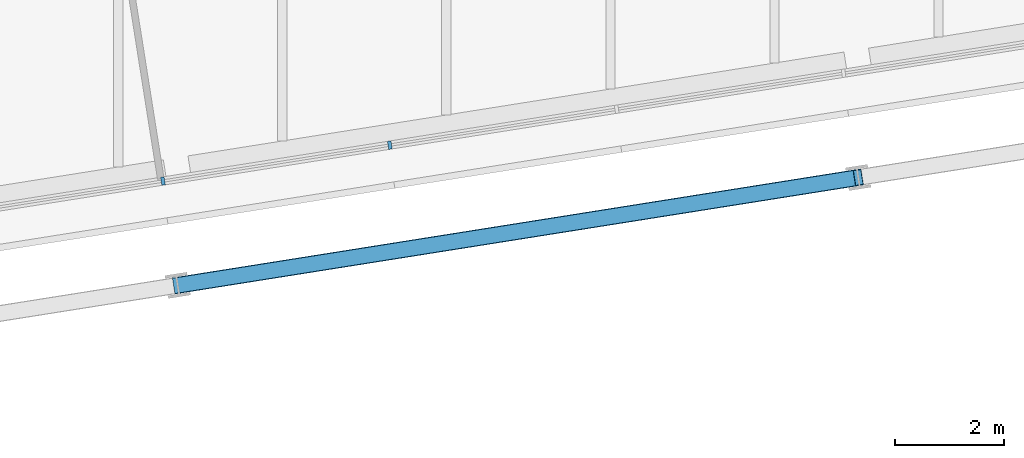
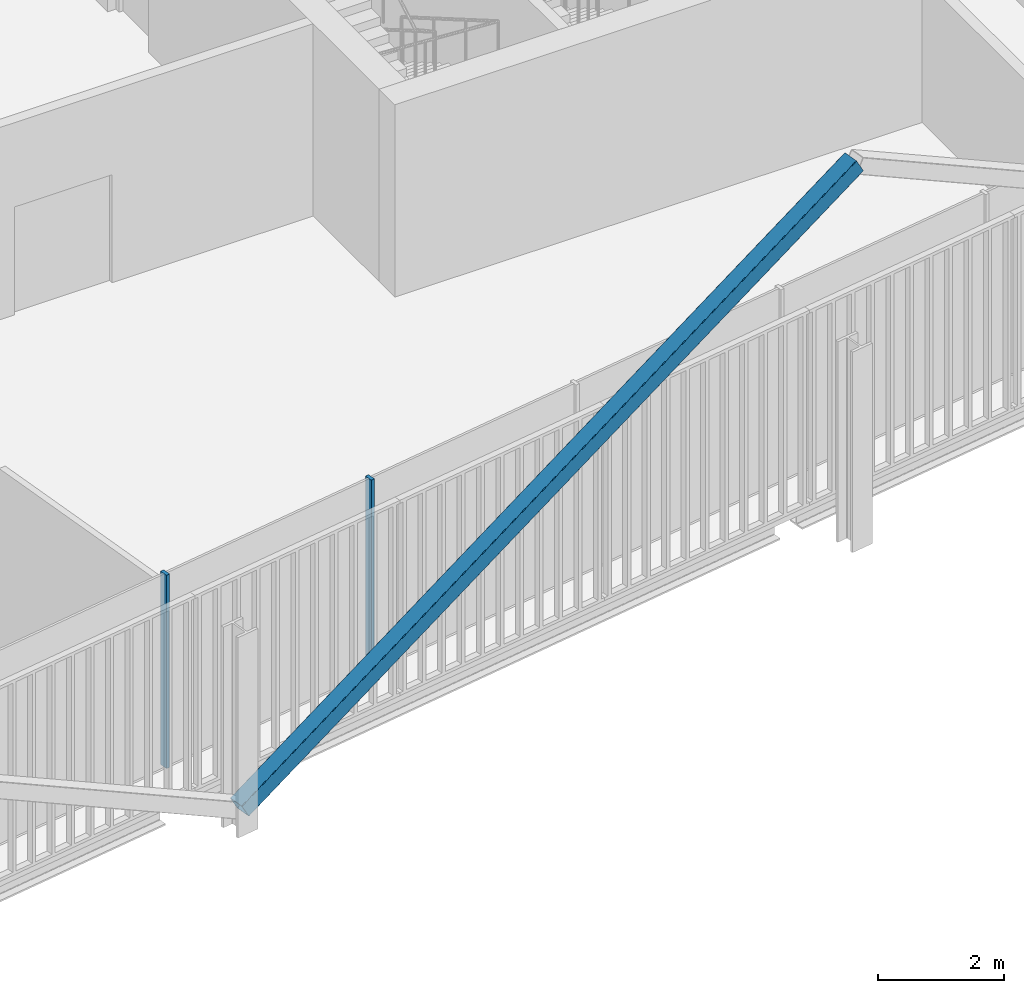
# One storey, part 3 of 20: 3 members, 1 element without a shape of its own.
"""IFC4 building model written with IfcOpenShell, lengths in metres."""

from ifc_helpers import new_model, si_unit, direction, frame, origin, origin_2d, place, context, subcontext, project, spatial, rectangle, hollow_rectangle, extrude, material, layer, layer_set, material_profile, profile_set, type_object, element, aggregate, save


model = new_model("IFC4")

# Units and contexts
model_context = context("Model", 3, precision=1e-05, world=origin(), true_north=direction((0.0, 1.0)))
body_context = subcontext(model_context, "Body", "Model", "MODEL_VIEW")
ifc_project = project(units=[si_unit("LENGTHUNIT", "METRE"), si_unit("AREAUNIT", "SQUARE_METRE"), si_unit("VOLUMEUNIT", "CUBIC_METRE"), si_unit("PLANEANGLEUNIT", "RADIAN"), si_unit("MASSUNIT", "GRAM", prefix="KILO")], contexts=[model_context])

# Site, building, storey
site_placement = place(None, origin())
site = spatial("IfcSite", under=ifc_project, at=site_placement, CompositionType="ELEMENT")
building_placement = place(site_placement, origin())
building = spatial("IfcBuilding", under=site, at=building_placement, Name="Millrace Tower", CompositionType="ELEMENT")
storey_placement = place(building_placement, frame((0.0, 0.0, 204.699951171875)))
storey = spatial("IfcBuildingStorey", under=building, at=storey_placement, Name="L46", CompositionType="ELEMENT", Elevation=204.699951171875)

# Curtain wall, members
ifc_material_1 = material(Name="Aluminium and glass", Category="aluminium")
ifc_layer = layer(ifc_material_1, 0.14990234375)
ifc_layer_set = layer_set([ifc_layer], Name="Aluminium and glass")
curtain_wall_type = type_object("IfcCurtainWallType", Name="CW-1 office vision curtain wall", PredefinedType="NOTDEFINED", material=ifc_layer_set)
curtain_wall_placement = place(storey_placement, origin())
curtain_wall = element("IfcCurtainWall", 1, at=curtain_wall_placement, inside=storey, type_object=curtain_wall_type, Name="Curtain wall D-F02 L46", PredefinedType="NOTDEFINED")
ifc_material_2 = material(Name="Aluminium", Category="aluminium")
ifc_material_profile_1 = material_profile(ifc_material_2, rectangle(XDim=0.06494140625, YDim=0.14990234375, at=origin_2d()))
ifc_profile_set_1 = profile_set([ifc_material_profile_1], Name="Aluminium")
member_type_1 = type_object("IfcMemberType", Name="CW-1 office vision curtain wall mullion", PredefinedType="MULLION", material=ifc_profile_set_1)
member_1_placement = place(storey_placement, frame((-5.1806640625, -19.021240234375, 0.14013671875), z_axis=(0.0, 0.0, 1.0), x_axis=(0.987688339511, 0.156434471884, 0.0)))
member_1 = element("IfcMember", 2, at=member_1_placement, type_object=member_type_1, Name="CW1 mullion D-F02.4", PredefinedType="MULLION", context=body_context, shape_type="SweptSolid", body=[
    extrude(rectangle(XDim=0.06494140625, YDim=0.14990234375, at=origin_2d()), origin(), (0.0, 0.0, 1.0), 3.760009765625),
])
member_2_placement = place(storey_placement, frame((-1.0322265625, -18.3642578125, 0.14013671875), z_axis=(0.0, 0.0, 1.0), x_axis=(0.987688339511, 0.156434471884, 0.0)))
member_2 = element("IfcMember", 3, at=member_2_placement, type_object=member_type_1, Name="CW1 mullion D-F02.5", PredefinedType="MULLION", context=body_context, shape_type="SweptSolid", body=[
    extrude(rectangle(XDim=0.06494140625, YDim=0.14990234375, at=origin_2d()), origin(), (0.0, 0.0, 1.0), 3.760009765625),
])
aggregate(curtain_wall, [member_1, member_2])

# Member
ifc_material_3 = material(Name="Steel ASTM A500 Grade C", Category="steel")
ifc_material_profile_2 = material_profile(ifc_material_3, hollow_rectangle(XDim=0.3046875, YDim=0.3046875, WallThickness=0.0126953125, InnerFilletRadius=0.00634765625, OuterFilletRadius=0.01904296875, at=origin_2d()))
ifc_profile_set_2 = profile_set([ifc_material_profile_2], Name="Steel ASTM A500 Grade C")
member_type_2 = type_object("IfcMemberType", Name="Exoskeleton brace HSS12x12x1/2", PredefinedType="BRACE", material=ifc_profile_set_2)
member_3_placement = place(storey_placement, frame((-4.91162109375, -20.927734375, 0.400146484375), z_axis=(0.863395126588, 0.136740080373, 0.485644937998), x_axis=(-0.156425232058, 0.987689802912, 0.0)))
element("IfcMember", 4, at=member_3_placement, inside=storey, type_object=member_type_2, Name="BRC-D-L46-03", PredefinedType="BRACE", context=body_context, shape_type="SweptSolid", body=[
    extrude(hollow_rectangle(XDim=0.3046875, YDim=0.3046875, WallThickness=0.0126953125, InnerFilletRadius=0.00634765625, OuterFilletRadius=0.01904296875, at=origin_2d()), origin(), (0.0, 0.0, 1.0), 14.413818359375),
])

save(model, "model.ifc")
